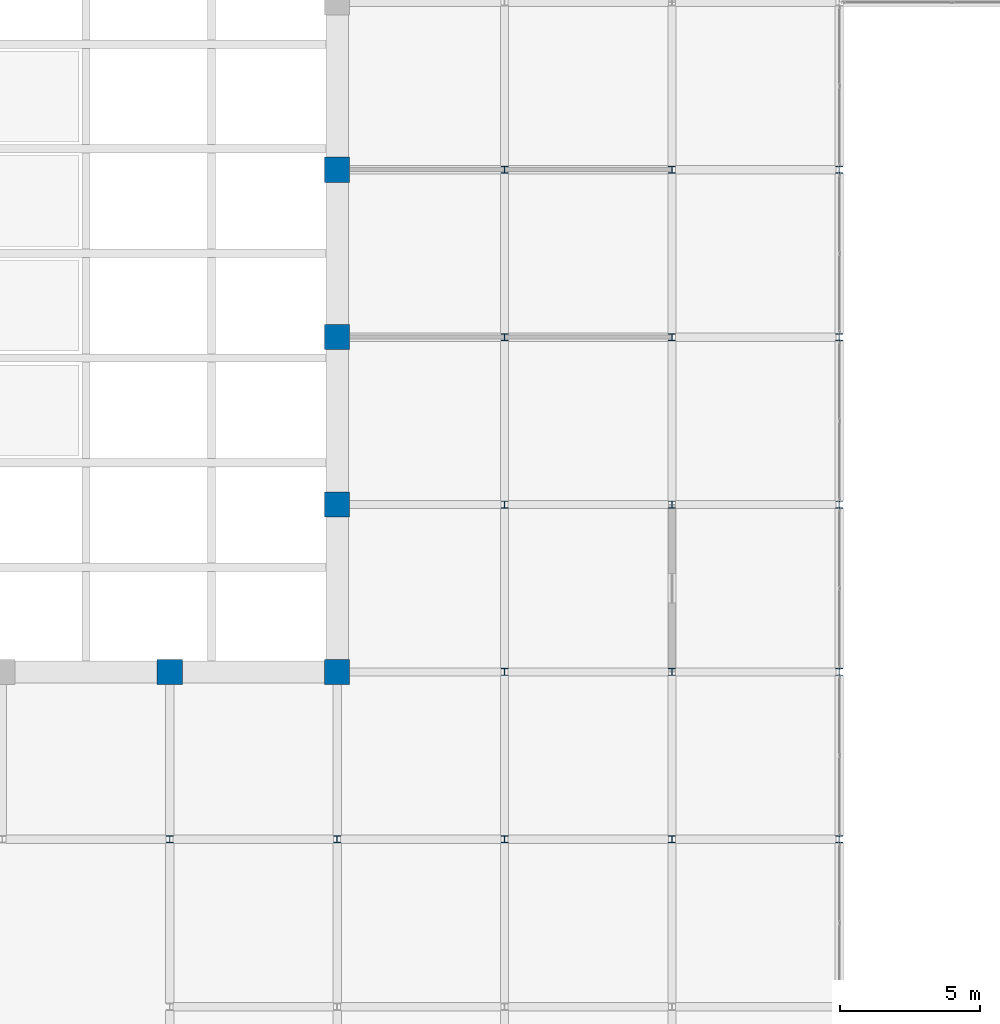
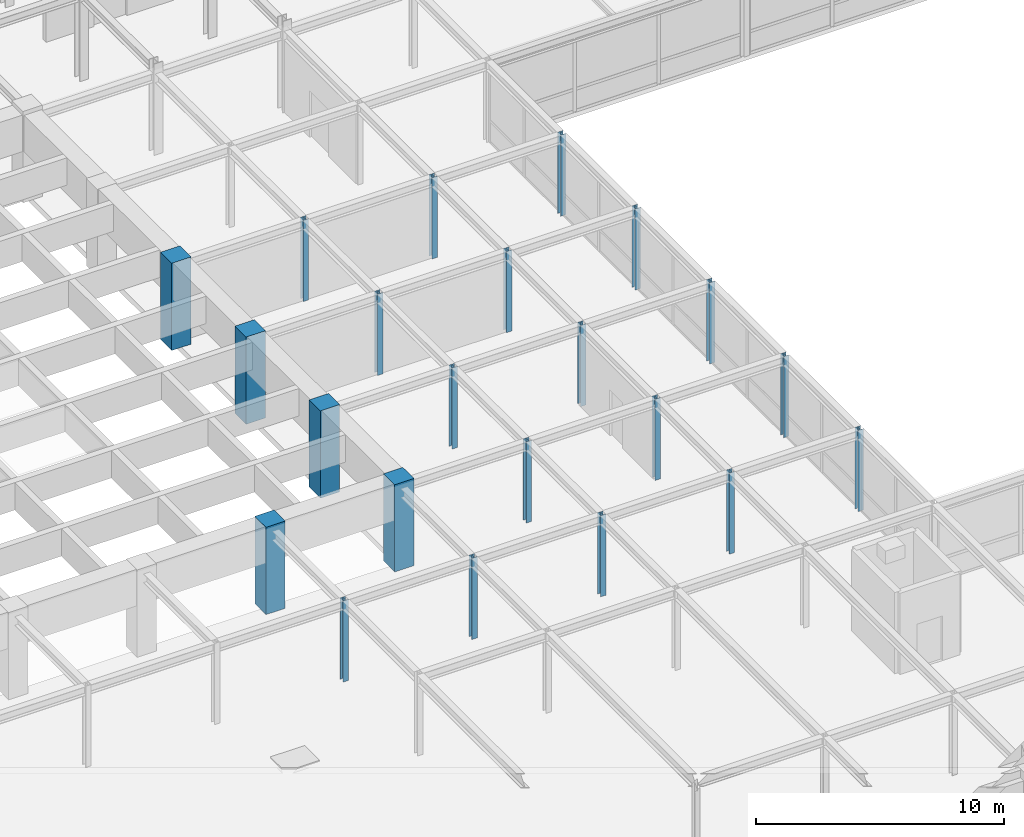
# One storey, part 12 of 111: 22 columns.
"""IFC4 building model written with IfcOpenShell, lengths in metres."""

from ifc_helpers import new_model, si_unit, direction, frame, origin, origin_2d, place, context, subcontext, project, spatial, rectangle, i_section, extrude, material, material_profile, profile_set, type_object, element, save


model = new_model("IFC4")

# Units and contexts
model_context = context("Model", 3, precision=1e-05, world=origin(), true_north=direction((0.0, 1.0)))
body_context = subcontext(model_context, "Body", "Model", "MODEL_VIEW")
ifc_project = project(units=[si_unit("LENGTHUNIT", "METRE"), si_unit("AREAUNIT", "SQUARE_METRE"), si_unit("VOLUMEUNIT", "CUBIC_METRE"), si_unit("PLANEANGLEUNIT", "RADIAN"), si_unit("MASSUNIT", "GRAM", prefix="KILO")], contexts=[model_context])

# Site, building, storey
site_placement = place(None, origin())
site = spatial("IfcSite", under=ifc_project, at=site_placement, CompositionType="ELEMENT")
building_placement = place(site_placement, origin())
building = spatial("IfcBuilding", under=site, at=building_placement, Name="Zlatovratsky Civic Hall", CompositionType="ELEMENT")
storey_placement = place(building_placement, frame((0.0, 0.0, 16.5)))
storey = spatial("IfcBuildingStorey", under=building, at=storey_placement, Name="L04", CompositionType="ELEMENT", Elevation=16.5)

# Columns
ifc_material_1 = material(Name="Concrete C35/45 (B40)", Category="concrete")
ifc_material_profile_1 = material_profile(ifc_material_1, rectangle(XDim=0.89990234375, YDim=0.89990234375, at=origin_2d()), Name="RC 900x900")
ifc_profile_set_1 = profile_set([ifc_material_profile_1], Name="Concrete C35/45 (B40)")
column_type_1 = type_object("IfcColumnType", Name="Col_ChamberPier_RC900", PredefinedType="COLUMN", material=ifc_profile_set_1)
for number, where, z_axis, x_axis, name in (
    (1, (96.0, 42.0, 0.0), (0.0, 0.0, 1.0), (1.0, 0.0, 0.0), "CL-1661"),
    (2, (102.0, 42.0, 0.0), (0.0, 0.0, 1.0), (1.0, 0.0, 0.0), "CL-1662"),
    (3, (102.0, 48.0, 0.0), (0.0, 0.0, 1.0), (1.0, 0.0, 0.0), "CL-1676"),
    (4, (102.0, 54.0, 0.0), (0.0, 0.0, 1.0), (1.0, 0.0, 0.0), "CL-1690"),
    (5, (102.0, 60.0, 0.0), (0.0, 0.0, 1.0), (1.0, 0.0, 0.0), "CL-1704"),
):
    element("IfcColumn", number, at=place(storey_placement, frame(where, z_axis=z_axis, x_axis=x_axis)), inside=storey, type_object=column_type_1, Name=name, PredefinedType="COLUMN", context=body_context, shape_type="SweptSolid", body=[
        extrude(rectangle(XDim=0.89990234375, YDim=0.89990234375, at=origin_2d()), origin(), (0.0, 0.0, 1.0), 4.300048828125),
    ])
ifc_material_2 = material(Name="Steel S355", Category="steel")
ifc_material_profile_2 = material_profile(ifc_material_2, i_section(OverallWidth=0.25, OverallDepth=0.25, WebThickness=0.009033203125, FlangeThickness=0.013916015625, FilletRadius=0.01611328125, at=origin_2d()), Name="25K2")
ifc_profile_set_2 = profile_set([ifc_material_profile_2], Name="Steel S355")
column_type_2 = type_object("IfcColumnType", Name="Col_Steel_25K2", PredefinedType="COLUMN", material=ifc_profile_set_2)
for number, where, z_axis, x_axis, name in (
    (6, (96.0, 36.0, 0.0), (0.0, 0.0, 1.0), (1.0, 0.0, 0.0), "CL-1642"),
    (7, (102.0, 36.0, 0.0), (0.0, 0.0, 1.0), (1.0, 0.0, 0.0), "CL-1643"),
    (8, (108.0, 36.0, 0.0), (0.0, 0.0, 1.0), (1.0, 0.0, 0.0), "CL-1644"),
    (9, (114.0, 36.0, 0.0), (0.0, 0.0, 1.0), (1.0, 0.0, 0.0), "CL-1645"),
    (10, (120.0, 36.0, 0.0), (0.0, 0.0, 1.0), (1.0, 0.0, 0.0), "CL-1646"),
    (11, (108.0, 42.0, 0.0), (0.0, 0.0, 1.0), (1.0, 0.0, 0.0), "CL-1663"),
    (12, (114.0, 42.0, 0.0), (0.0, 0.0, 1.0), (1.0, 0.0, 0.0), "CL-1664"),
    (13, (120.0, 42.0, 0.0), (0.0, 0.0, 1.0), (1.0, 0.0, 0.0), "CL-1665"),
    (14, (108.0, 48.0, 0.0), (0.0, 0.0, 1.0), (1.0, 0.0, 0.0), "CL-1677"),
    (15, (114.0, 48.0, 0.0), (0.0, 0.0, 1.0), (1.0, 0.0, 0.0), "CL-1678"),
    (16, (120.0, 48.0, 0.0), (0.0, 0.0, 1.0), (1.0, 0.0, 0.0), "CL-1679"),
    (17, (108.0, 54.0, 0.0), (0.0, 0.0, 1.0), (1.0, 0.0, 0.0), "CL-1691"),
    (18, (114.0, 54.0, 0.0), (0.0, 0.0, 1.0), (1.0, 0.0, 0.0), "CL-1692"),
    (19, (120.0, 54.0, 0.0), (0.0, 0.0, 1.0), (1.0, 0.0, 0.0), "CL-1693"),
    (20, (108.0, 60.0, 0.0), (0.0, 0.0, 1.0), (1.0, 0.0, 0.0), "CL-1705"),
    (21, (114.0, 60.0, 0.0), (0.0, 0.0, 1.0), (1.0, 0.0, 0.0), "CL-1706"),
    (22, (120.0, 60.0, 0.0), (0.0, 0.0, 1.0), (1.0, 0.0, 0.0), "CL-1707"),
):
    element("IfcColumn", number, at=place(storey_placement, frame(where, z_axis=z_axis, x_axis=x_axis)), inside=storey, type_object=column_type_2, Name=name, PredefinedType="COLUMN", context=body_context, shape_type="SweptSolid", body=[
        extrude(i_section(OverallWidth=0.25, OverallDepth=0.25, WebThickness=0.009033203125, FlangeThickness=0.013916015625, FilletRadius=0.01611328125, at=origin_2d()), origin(), (0.0, 0.0, 1.0), 4.0),
    ])

save(model, "model.ifc")
